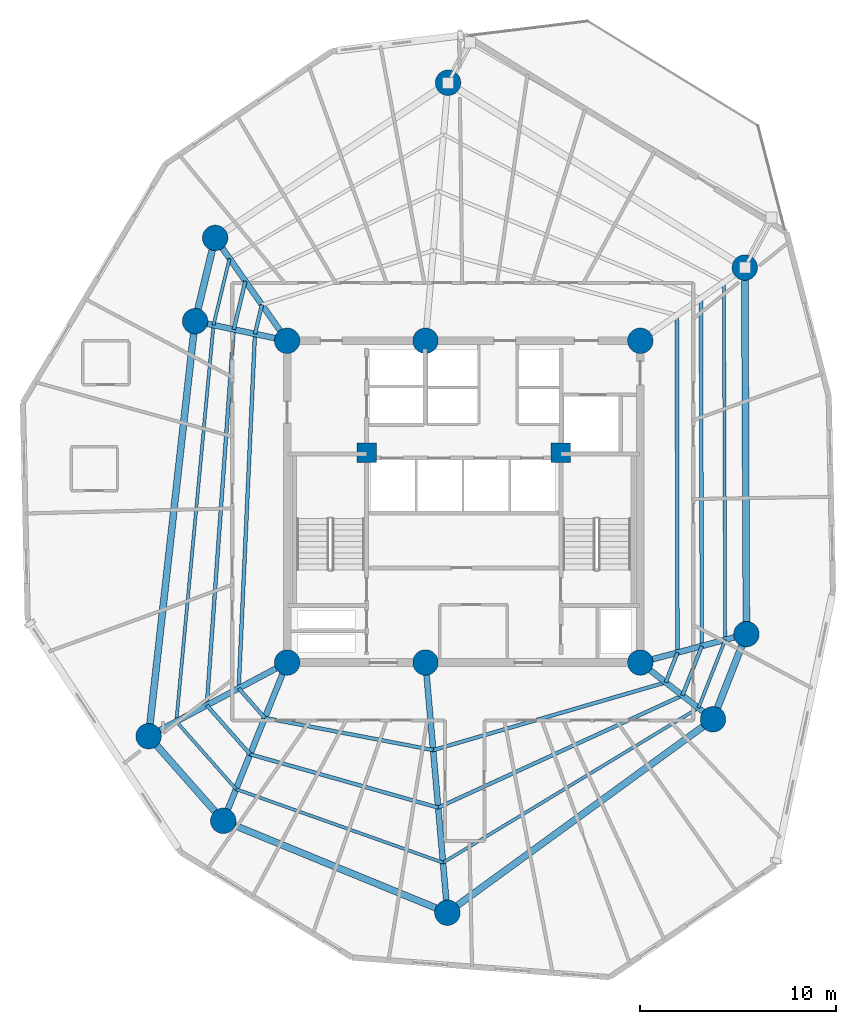
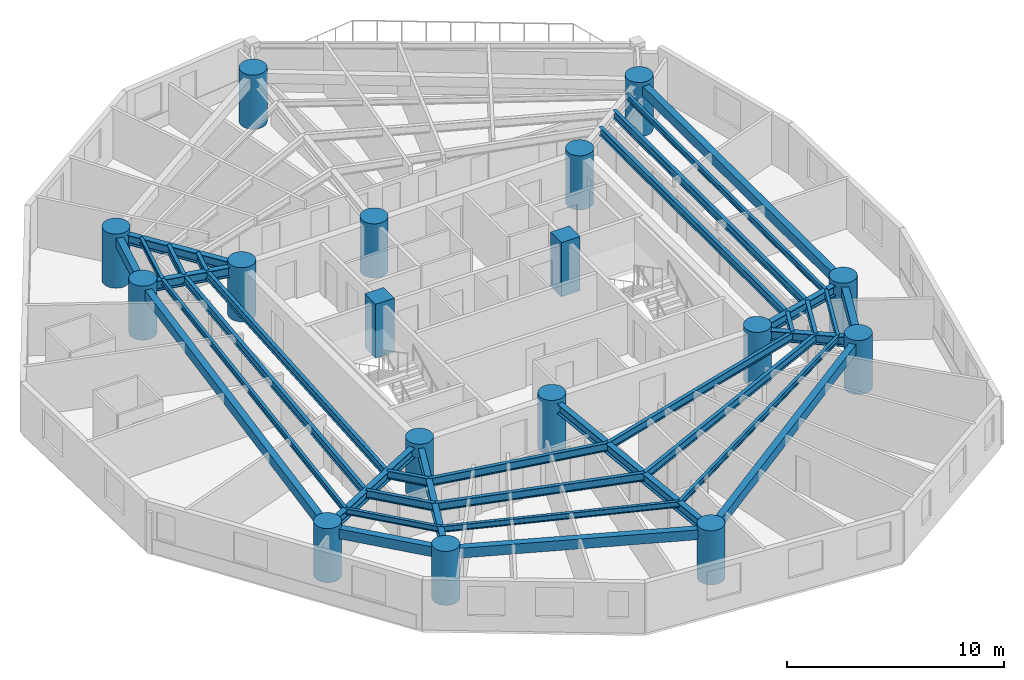
# One storey, part 1 of 9: 35 beams, 17 columns.
"""IFC4 building model written with IfcOpenShell, lengths in metres."""

from ifc_helpers import new_model, si_unit, direction, frame, origin, origin_with_axes, origin_2d, place, context, subcontext, project, spatial, rectangle, circle, i_section, extrude, source, transform, mapped, material, material_profile, profile_set, type_object, element, save


model = new_model("IFC4")

# Units and contexts
model_context = context("Model", 3, precision=1e-05, world=origin(), true_north=direction((0.0, 1.0)))
body_context = subcontext(model_context, "Body", "Model", "MODEL_VIEW")
ifc_project = project(units=[si_unit("LENGTHUNIT", "METRE"), si_unit("AREAUNIT", "SQUARE_METRE"), si_unit("VOLUMEUNIT", "CUBIC_METRE"), si_unit("PLANEANGLEUNIT", "RADIAN"), si_unit("MASSUNIT", "GRAM", prefix="KILO")], contexts=[model_context])

# Site, building, storey
site_placement = place(None, origin())
site = spatial("IfcSite", under=ifc_project, at=site_placement, CompositionType="ELEMENT")
building_placement = place(site_placement, origin())
building = spatial("IfcBuilding", under=site, at=building_placement, Name="Karkom Vertical University and Central Library", CompositionType="ELEMENT")
storey_placement = place(building_placement, frame((0.0, 0.0, 190.10009765625)))
storey = spatial("IfcBuildingStorey", under=building, at=storey_placement, Name="L55", CompositionType="ELEMENT", Elevation=190.10009765625)

# Columns
ifc_material_1 = material(Name="Concrete C50/60", Category="concrete")
ifc_material_profile_1 = material_profile(ifc_material_1, circle(Radius=0.64990234375, at=origin_2d()), Name="CFT-D1300")
ifc_profile_set_1 = profile_set([ifc_material_profile_1], Name="Concrete C50/60")
column_type_1 = type_object("IfcColumnType", Name="STR-COL-C-SC4", PredefinedType="COLUMN", material=ifc_profile_set_1)
shared_shape_1 = source(origin_with_axes(), body_context, "Body", "SweptSolid", [
    extrude(circle(Radius=0.64990234375, at=origin_2d()), origin(), (0.0, 0.0, 1.0), 3.0498046875),
])
for number, where, z_axis, x_axis, name in (
    (1, (19.5, 18.300048828125, 0.0), (0.0, 0.0, 1.0), (1.0, 0.0, 0.0), "Level 55 Spine Mega-Column SC-1"),
    (2, (26.550048828125, 18.300048828125, 0.0), (0.0, 0.0, 1.0), (1.0, 0.0, 0.0), "Level 55 Spine Mega-Column SC-2"),
    (3, (37.5, 18.300048828125, 0.0), (0.0, 0.0, 1.0), (1.0, 0.0, 0.0), "Level 55 Spine Mega-Column SC-3"),
    (4, (19.5, 34.699951171875, 0.0), (0.0, 0.0, 1.0), (1.0, 0.0, 0.0), "Level 55 Spine Mega-Column SC-4"),
    (5, (26.550048828125, 34.699951171875, 0.0), (0.0, 0.0, 1.0), (1.0, 0.0, 0.0), "Level 55 Spine Mega-Column SC-5"),
    (6, (37.5, 34.699951171875, 0.0), (0.0, 0.0, 1.0), (1.0, 0.0, 0.0), "Level 55 Spine Mega-Column SC-6"),
    (7, (42.908935546875, 19.7490234375, 0.0), (0.0, 0.0, 1.0), (1.0, 0.0, 0.0), "Level 55 Perimeter Mega-Column Z3-PC1"),
    (8, (42.823974609375, 38.427978515625, 0.0), (0.0, 0.0, 1.0), (1.0, 0.0, 0.0), "Level 55 Perimeter Mega-Column Z3-PC2"),
    (9, (27.699951171875, 47.85009765625, 0.0), (0.0, 0.0, 1.0), (1.0, 0.0, 0.0), "Level 55 Perimeter Mega-Column Z3-PC3"),
    (10, (15.8291015625, 39.943115234375, 0.0), (0.0, 0.0, 1.0), (1.0, 0.0, 0.0), "Level 55 Perimeter Mega-Column Z3-PC4"),
    (11, (14.804931640625, 35.697998046875, 0.0), (0.0, 0.0, 1.0), (1.0, 0.0, 0.0), "Level 55 Perimeter Mega-Column Z3-PC5"),
    (12, (12.43603515625, 14.5439453125, 0.0), (0.0, 0.0, 1.0), (1.0, 0.0, 0.0), "Level 55 Perimeter Mega-Column Z3-PC6"),
    (13, (16.240966796875, 10.23388671875, 0.0), (0.0, 0.0, 1.0), (1.0, 0.0, 0.0), "Level 55 Perimeter Mega-Column Z3-PC7"),
    (14, (27.666015625, 5.549072265625, 0.0), (0.0, 0.0, 1.0), (1.0, 0.0, 0.0), "Level 55 Perimeter Mega-Column Z3-PC8"),
    (15, (41.2041015625, 15.406005859375, 0.0), (0.0, 0.0, 1.0), (1.0, 0.0, 0.0), "Level 55 Perimeter Mega-Column Z3-PC9"),
):
    element("IfcColumn", number, at=place(storey_placement, frame(where, z_axis=z_axis, x_axis=x_axis)), inside=storey, type_object=column_type_1, Name=name, PredefinedType="COLUMN", context=body_context, shape_type="MappedRepresentation", body=[
        mapped(shared_shape_1, transform((0.0, 0.0, 0.0), scale=1.0)),
    ])
ifc_material_profile_2 = material_profile(ifc_material_1, rectangle(XDim=1.0, YDim=1.0, at=origin_2d()), Name="RC-1000x1000")
ifc_profile_set_2 = profile_set([ifc_material_profile_2], Name="Concrete C50/60")
column_type_2 = type_object("IfcColumnType", Name="STR-COL-C-CC2", PredefinedType="COLUMN", material=ifc_profile_set_2)
shared_shape_2 = source(origin_with_axes(), body_context, "Body", "SweptSolid", [
    extrude(rectangle(XDim=1.0, YDim=1.0, at=origin_2d()), origin(), (0.0, 0.0, 1.0), 3.0498046875),
])
for number, where, z_axis, x_axis, name in (
    (16, (23.550048828125, 29.0, 0.0), (0.0, 0.0, 1.0), (1.0, 0.0, 0.0), "Level 55 Core Node Column CC-1"),
    (17, (33.449951171875, 29.0, 0.0), (0.0, 0.0, 1.0), (1.0, 0.0, 0.0), "Level 55 Core Node Column CC-2"),
):
    element("IfcColumn", number, at=place(storey_placement, frame(where, z_axis=z_axis, x_axis=x_axis)), inside=storey, type_object=column_type_2, Name=name, PredefinedType="COLUMN", context=body_context, shape_type="MappedRepresentation", body=[
        mapped(shared_shape_2, transform((0.0, 0.0, 0.0), scale=1.0)),
    ])

# Beams
ifc_material_2 = material(Name="Precast concrete C45/55", Category="concrete")
ifc_material_profile_3 = material_profile(ifc_material_2, rectangle(XDim=0.35009765625, YDim=0.550048828125, at=origin_2d()), Name="SPB-350x550")
ifc_profile_set_3 = profile_set([ifc_material_profile_3], Name="Precast concrete C45/55")
beam_type_1 = type_object("IfcBeamType", Name="STR-BM-SP-2", PredefinedType="SPANDREL", material=ifc_profile_set_3)
shared_shape_3 = source(origin_with_axes(), body_context, "Body", "SweptSolid", [
    extrude(rectangle(XDim=0.35009765625, YDim=0.550048828125, at=origin_2d()), origin(), (0.0, 0.0, 1.0), 18.67919921875),
])
beam_1_placement = place(storey_placement, frame((42.908935546875, 19.7490234375, 2.5498046875), z_axis=(-0.004548437442, 0.999989655805, 0.0), x_axis=(-0.999989655805, -0.004548437442, 0.0)))
element("IfcBeam", 18, at=beam_1_placement, inside=storey, type_object=beam_type_1, Name="Level 55 Perimeter Spandrel Beam 01", PredefinedType="SPANDREL", context=body_context, shape_type="MappedRepresentation", body=[
    mapped(shared_shape_3, transform((0.0, 0.0, 0.0), scale=1.0)),
])
shared_shape_4 = source(origin_with_axes(), body_context, "Body", "SweptSolid", [
    extrude(rectangle(XDim=0.35009765625, YDim=0.550048828125, at=origin_2d()), origin(), (0.0, 0.0, 1.0), 4.366943359375),
])
beam_2_placement = place(storey_placement, frame((15.8291015625, 39.943115234375, 2.5498046875), z_axis=(-0.234529408772, -0.972109024966, 0.0), x_axis=(0.972109024966, -0.234529408772, 0.0)))
element("IfcBeam", 19, at=beam_2_placement, inside=storey, type_object=beam_type_1, Name="Level 55 Perimeter Spandrel Beam 04", PredefinedType="SPANDREL", context=body_context, shape_type="MappedRepresentation", body=[
    mapped(shared_shape_4, transform((0.0, 0.0, 0.0), scale=1.0)),
])
shared_shape_5 = source(origin_with_axes(), body_context, "Body", "SweptSolid", [
    extrude(rectangle(XDim=0.35009765625, YDim=0.550048828125, at=origin_2d()), origin(), (0.0, 0.0, 1.0), 21.286376953125),
])
beam_3_placement = place(storey_placement, frame((14.804931640625, 35.697998046875, 2.5498046875), z_axis=(-0.111287493264, -0.993788254028, 0.0), x_axis=(0.993788254028, -0.111287493264, 0.0)))
element("IfcBeam", 20, at=beam_3_placement, inside=storey, type_object=beam_type_1, Name="Level 55 Perimeter Spandrel Beam 05", PredefinedType="SPANDREL", context=body_context, shape_type="MappedRepresentation", body=[
    mapped(shared_shape_5, transform((0.0, 0.0, 0.0), scale=1.0)),
])
shared_shape_6 = source(origin_with_axes(), body_context, "Body", "SweptSolid", [
    extrude(rectangle(XDim=0.35009765625, YDim=0.550048828125, at=origin_2d()), origin(), (0.0, 0.0, 1.0), 5.749267578125),
])
beam_4_placement = place(storey_placement, frame((12.43603515625, 14.5439453125, 2.5498046875), z_axis=(0.661811219671, -0.74967053398, 0.0), x_axis=(0.74967053398, 0.661811219671, 0.0)))
element("IfcBeam", 21, at=beam_4_placement, inside=storey, type_object=beam_type_1, Name="Level 55 Perimeter Spandrel Beam 06", PredefinedType="SPANDREL", context=body_context, shape_type="MappedRepresentation", body=[
    mapped(shared_shape_6, transform((0.0, 0.0, 0.0), scale=1.0)),
])
shared_shape_7 = source(origin_with_axes(), body_context, "Body", "SweptSolid", [
    extrude(rectangle(XDim=0.35009765625, YDim=0.550048828125, at=origin_2d()), origin(), (0.0, 0.0, 1.0), 12.34814453125),
])
beam_5_placement = place(storey_placement, frame((16.240966796875, 10.23388671875, 2.5498046875), z_axis=(0.925236428984, -0.37939102583, 0.0), x_axis=(0.37939102583, 0.925236428984, 0.0)))
element("IfcBeam", 22, at=beam_5_placement, inside=storey, type_object=beam_type_1, Name="Level 55 Perimeter Spandrel Beam 07", PredefinedType="SPANDREL", context=body_context, shape_type="MappedRepresentation", body=[
    mapped(shared_shape_7, transform((0.0, 0.0, 0.0), scale=1.0)),
])
shared_shape_8 = source(origin_with_axes(), body_context, "Body", "SweptSolid", [
    extrude(rectangle(XDim=0.35009765625, YDim=0.550048828125, at=origin_2d()), origin(), (0.0, 0.0, 1.0), 16.746337890625),
])
beam_6_placement = place(storey_placement, frame((27.666015625, 5.549072265625, 2.5498046875), z_axis=(0.808422013284, 0.588603303115, 0.0), x_axis=(-0.588603303115, 0.808422013284, 0.0)))
element("IfcBeam", 23, at=beam_6_placement, inside=storey, type_object=beam_type_1, Name="Level 55 Perimeter Spandrel Beam 08", PredefinedType="SPANDREL", context=body_context, shape_type="MappedRepresentation", body=[
    mapped(shared_shape_8, transform((0.0, 0.0, 0.0), scale=1.0)),
])
shared_shape_9 = source(origin_with_axes(), body_context, "Body", "SweptSolid", [
    extrude(rectangle(XDim=0.35009765625, YDim=0.550048828125, at=origin_2d()), origin(), (0.0, 0.0, 1.0), 4.66552734375),
])
beam_7_placement = place(storey_placement, frame((41.2041015625, 15.406005859375, 2.5498046875), z_axis=(0.365401419454, 0.930850043058, 0.0), x_axis=(-0.930850043058, 0.365401419454, 0.0)))
element("IfcBeam", 24, at=beam_7_placement, inside=storey, type_object=beam_type_1, Name="Level 55 Perimeter Spandrel Beam 09", PredefinedType="SPANDREL", context=body_context, shape_type="MappedRepresentation", body=[
    mapped(shared_shape_9, transform((0.0, 0.0, 0.0), scale=1.0)),
])
ifc_material_3 = material(Name="Steel S355", Category="steel")
ifc_material_profile_4 = material_profile(ifc_material_3, i_section(OverallWidth=0.18994140625, OverallDepth=0.449951171875, WebThickness=0.009521484375, FlangeThickness=0.0146484375, FilletRadius=0.02099609375, at=origin_2d()), Name="IPE 450")
ifc_profile_set_4 = profile_set([ifc_material_profile_4], Name="Steel S355")
beam_type_2 = type_object("IfcBeamType", Name="STR-BM-SB-IPE450", PredefinedType="BEAM", material=ifc_profile_set_4)
shared_shape_10 = source(origin_with_axes(), body_context, "Body", "SweptSolid", [
    extrude(i_section(OverallWidth=0.18994140625, OverallDepth=0.449951171875, WebThickness=0.009521484375, FlangeThickness=0.0146484375, FilletRadius=0.02099609375, at=origin_2d()), origin(), (0.0, 0.0, 1.0), 17.19775390625),
])
beam_8_placement = place(storey_placement, frame((39.39306640625, 18.80712890625, 2.599853515625), z_axis=(-0.001731918699, 0.999998500228, 0.0), x_axis=(-0.999998500228, -0.001731918699, 0.0)))
element("IfcBeam", 25, at=beam_8_placement, inside=storey, type_object=beam_type_2, Name="Level 55 Secondary Composite Floor Beam 1.01", PredefinedType="BEAM", context=body_context, shape_type="MappedRepresentation", body=[
    mapped(shared_shape_10, transform((0.0, 0.0, 0.0), scale=1.0)),
])
shared_shape_11 = source(origin_with_axes(), body_context, "Body", "SweptSolid", [
    extrude(i_section(OverallWidth=0.18994140625, OverallDepth=0.449951171875, WebThickness=0.009521484375, FlangeThickness=0.0146484375, FilletRadius=0.02099609375, at=origin_2d()), origin(), (0.0, 0.0, 1.0), 1.5283203125),
])
beam_9_placement = place(storey_placement, frame((18.215087890625, 36.534912109375, 2.599853515625), z_axis=(-0.234520804587, -0.972111100757, 0.0), x_axis=(0.972111100757, -0.234520804587, 0.0)))
element("IfcBeam", 26, at=beam_9_placement, inside=storey, type_object=beam_type_2, Name="Level 55 Secondary Composite Floor Beam 1.04", PredefinedType="BEAM", context=body_context, shape_type="MappedRepresentation", body=[
    mapped(shared_shape_11, transform((0.0, 0.0, 0.0), scale=1.0)),
])
shared_shape_12 = source(origin_with_axes(), body_context, "Body", "SweptSolid", [
    extrude(i_section(OverallWidth=0.18994140625, OverallDepth=0.449951171875, WebThickness=0.009521484375, FlangeThickness=0.0146484375, FilletRadius=0.02099609375, at=origin_2d()), origin(), (0.0, 0.0, 1.0), 18.0830078125),
])
beam_10_placement = place(storey_placement, frame((17.856689453125, 35.04931640625, 2.599853515625), z_axis=(-0.04584982532, -0.998948343769, 0.0), x_axis=(0.998948343769, -0.04584982532, 0.0)))
element("IfcBeam", 27, at=beam_10_placement, inside=storey, type_object=beam_type_2, Name="Level 55 Secondary Composite Floor Beam 1.05", PredefinedType="BEAM", context=body_context, shape_type="MappedRepresentation", body=[
    mapped(shared_shape_12, transform((0.0, 0.0, 0.0), scale=1.0)),
])
shared_shape_13 = source(origin_with_axes(), body_context, "Body", "SweptSolid", [
    extrude(i_section(OverallWidth=0.18994140625, OverallDepth=0.449951171875, WebThickness=0.009521484375, FlangeThickness=0.0146484375, FilletRadius=0.02099609375, at=origin_2d()), origin(), (0.0, 0.0, 1.0), 2.01220703125),
])
beam_11_placement = place(storey_placement, frame((17.027587890625, 16.9853515625, 2.599853515625), z_axis=(0.661822246424, -0.749660799387, 0.0), x_axis=(0.749660799387, 0.661822246424, 0.0)))
element("IfcBeam", 28, at=beam_11_placement, inside=storey, type_object=beam_type_2, Name="Level 55 Secondary Composite Floor Beam 1.06", PredefinedType="BEAM", context=body_context, shape_type="MappedRepresentation", body=[
    mapped(shared_shape_13, transform((0.0, 0.0, 0.0), scale=1.0)),
])
shared_shape_14 = source(origin_with_axes(), body_context, "Body", "SweptSolid", [
    extrude(i_section(OverallWidth=0.18994140625, OverallDepth=0.449951171875, WebThickness=0.009521484375, FlangeThickness=0.0146484375, FilletRadius=0.02099609375, at=origin_2d()), origin(), (0.0, 0.0, 1.0), 8.736572265625),
])
beam_12_placement = place(storey_placement, frame((18.359375, 15.476806640625, 2.599853515625), z_axis=(0.982230782932, -0.187677087205, 0.0), x_axis=(0.187677087205, 0.982230782932, 0.0)))
element("IfcBeam", 29, at=beam_12_placement, inside=storey, type_object=beam_type_2, Name="Level 55 Secondary Composite Floor Beam 1.07", PredefinedType="BEAM", context=body_context, shape_type="MappedRepresentation", body=[
    mapped(shared_shape_14, transform((0.0, 0.0, 0.0), scale=1.0)),
])
shared_shape_15 = source(origin_with_axes(), body_context, "Body", "SweptSolid", [
    extrude(i_section(OverallWidth=0.18994140625, OverallDepth=0.449951171875, WebThickness=0.009521484375, FlangeThickness=0.0146484375, FilletRadius=0.02099609375, at=origin_2d()), origin(), (0.0, 0.0, 1.0), 12.347412109375),
])
beam_13_placement = place(storey_placement, frame((26.940673828125, 13.837158203125, 2.599853515625), z_axis=(0.960173212987, 0.279405442077, 0.0), x_axis=(-0.279405442077, 0.960173212987, 0.0)))
element("IfcBeam", 30, at=beam_13_placement, inside=storey, type_object=beam_type_2, Name="Level 55 Secondary Composite Floor Beam 1.08", PredefinedType="BEAM", context=body_context, shape_type="MappedRepresentation", body=[
    mapped(shared_shape_15, transform((0.0, 0.0, 0.0), scale=1.0)),
])
shared_shape_16 = source(origin_with_axes(), body_context, "Body", "SweptSolid", [
    extrude(i_section(OverallWidth=0.18994140625, OverallDepth=0.449951171875, WebThickness=0.009521484375, FlangeThickness=0.0146484375, FilletRadius=0.02099609375, at=origin_2d()), origin(), (0.0, 0.0, 1.0), 1.633056640625),
])
beam_14_placement = place(storey_placement, frame((38.79638671875, 17.287109375, 2.599853515625), z_axis=(0.365402570083, 0.930849591382, 0.0), x_axis=(-0.930849591382, 0.365402570083, 0.0)))
element("IfcBeam", 31, at=beam_14_placement, inside=storey, type_object=beam_type_2, Name="Level 55 Secondary Composite Floor Beam 1.09", PredefinedType="BEAM", context=body_context, shape_type="MappedRepresentation", body=[
    mapped(shared_shape_16, transform((0.0, 0.0, 0.0), scale=1.0)),
])
shared_shape_17 = source(origin_with_axes(), body_context, "Body", "SweptSolid", [
    extrude(i_section(OverallWidth=0.18994140625, OverallDepth=0.449951171875, WebThickness=0.009521484375, FlangeThickness=0.0146484375, FilletRadius=0.02099609375, at=origin_2d()), origin(), (0.0, 0.0, 1.0), 17.721923828125),
])
beam_15_placement = place(storey_placement, frame((40.63720703125, 19.140380859375, 2.599853515625), z_axis=(-0.002782780006, 0.99999612806, 0.0), x_axis=(-0.99999612806, -0.002782780006, 0.0)))
element("IfcBeam", 32, at=beam_15_placement, inside=storey, type_object=beam_type_2, Name="Level 55 Secondary Composite Floor Beam 2.01", PredefinedType="BEAM", context=body_context, shape_type="MappedRepresentation", body=[
    mapped(shared_shape_17, transform((0.0, 0.0, 0.0), scale=1.0)),
])
shared_shape_18 = source(origin_with_axes(), body_context, "Body", "SweptSolid", [
    extrude(i_section(OverallWidth=0.18994140625, OverallDepth=0.449951171875, WebThickness=0.009521484375, FlangeThickness=0.0146484375, FilletRadius=0.02099609375, at=origin_2d()), origin(), (0.0, 0.0, 1.0), 2.53271484375),
])
beam_16_placement = place(storey_placement, frame((17.370849609375, 37.740966796875, 2.599853515625), z_axis=(-0.234521178828, -0.972111010472, 0.0), x_axis=(0.972111010472, -0.234521178828, 0.0)))
element("IfcBeam", 33, at=beam_16_placement, inside=storey, type_object=beam_type_2, Name="Level 55 Secondary Composite Floor Beam 2.04", PredefinedType="BEAM", context=body_context, shape_type="MappedRepresentation", body=[
    mapped(shared_shape_18, transform((0.0, 0.0, 0.0), scale=1.0)),
])
shared_shape_19 = source(origin_with_axes(), body_context, "Body", "SweptSolid", [
    extrude(i_section(OverallWidth=0.18994140625, OverallDepth=0.449951171875, WebThickness=0.009521484375, FlangeThickness=0.0146484375, FilletRadius=0.02099609375, at=origin_2d()), origin(), (0.0, 0.0, 1.0), 19.20654296875),
])
beam_17_placement = place(storey_placement, frame((16.77685546875, 35.27880859375, 2.599853515625), z_axis=(-0.071539731632, -0.997437750839, 0.0), x_axis=(0.997437750839, -0.071539731632, 0.0)))
element("IfcBeam", 34, at=beam_17_placement, inside=storey, type_object=beam_type_2, Name="Level 55 Secondary Composite Floor Beam 2.05", PredefinedType="BEAM", context=body_context, shape_type="MappedRepresentation", body=[
    mapped(shared_shape_19, transform((0.0, 0.0, 0.0), scale=1.0)),
])
shared_shape_20 = source(origin_with_axes(), body_context, "Body", "SweptSolid", [
    extrude(i_section(OverallWidth=0.18994140625, OverallDepth=0.449951171875, WebThickness=0.009521484375, FlangeThickness=0.0146484375, FilletRadius=0.02099609375, at=origin_2d()), origin(), (0.0, 0.0, 1.0), 3.334716796875),
])
beam_18_placement = place(storey_placement, frame((15.40283203125, 16.12158203125, 2.599853515625), z_axis=(0.661815321502, -0.749666912852, 0.0), x_axis=(0.749666912852, 0.661815321502, 0.0)))
element("IfcBeam", 35, at=beam_18_placement, inside=storey, type_object=beam_type_2, Name="Level 55 Secondary Composite Floor Beam 2.06", PredefinedType="BEAM", context=body_context, shape_type="MappedRepresentation", body=[
    mapped(shared_shape_20, transform((0.0, 0.0, 0.0), scale=1.0)),
])
shared_shape_21 = source(origin_with_axes(), body_context, "Body", "SweptSolid", [
    extrude(i_section(OverallWidth=0.18994140625, OverallDepth=0.449951171875, WebThickness=0.009521484375, FlangeThickness=0.0146484375, FilletRadius=0.02099609375, at=origin_2d()), origin(), (0.0, 0.0, 1.0), 9.965087890625),
])
beam_19_placement = place(storey_placement, frame((17.60986328125, 13.62158203125, 2.599853515625), z_axis=(0.962104232935, -0.272681948372, 0.0), x_axis=(0.272681948372, 0.962104232935, 0.0)))
element("IfcBeam", 36, at=beam_19_placement, inside=storey, type_object=beam_type_2, Name="Level 55 Secondary Composite Floor Beam 2.07", PredefinedType="BEAM", context=body_context, shape_type="MappedRepresentation", body=[
    mapped(shared_shape_21, transform((0.0, 0.0, 0.0), scale=1.0)),
])
shared_shape_22 = source(origin_with_axes(), body_context, "Body", "SweptSolid", [
    extrude(i_section(OverallWidth=0.18994140625, OverallDepth=0.449951171875, WebThickness=0.009521484375, FlangeThickness=0.0146484375, FilletRadius=0.02099609375, at=origin_2d()), origin(), (0.0, 0.0, 1.0), 13.700927734375),
])
beam_20_placement = place(storey_placement, frame((27.197265625, 10.904296875, 2.599853515625), z_axis=(0.908771280691, 0.417294571486, 0.0), x_axis=(-0.417294571486, 0.908771280691, 0.0)))
element("IfcBeam", 37, at=beam_20_placement, inside=storey, type_object=beam_type_2, Name="Level 55 Secondary Composite Floor Beam 2.08", PredefinedType="BEAM", context=body_context, shape_type="MappedRepresentation", body=[
    mapped(shared_shape_22, transform((0.0, 0.0, 0.0), scale=1.0)),
])
shared_shape_23 = source(origin_with_axes(), body_context, "Body", "SweptSolid", [
    extrude(i_section(OverallWidth=0.18994140625, OverallDepth=0.449951171875, WebThickness=0.009521484375, FlangeThickness=0.0146484375, FilletRadius=0.02099609375, at=origin_2d()), origin(), (0.0, 0.0, 1.0), 2.7060546875),
])
beam_21_placement = place(storey_placement, frame((39.648193359375, 16.62158203125, 2.599853515625), z_axis=(0.365487674906, 0.930816179217, 0.0), x_axis=(-0.930816179217, 0.365487674906, 0.0)))
element("IfcBeam", 38, at=beam_21_placement, inside=storey, type_object=beam_type_2, Name="Level 55 Secondary Composite Floor Beam 2.09", PredefinedType="BEAM", context=body_context, shape_type="MappedRepresentation", body=[
    mapped(shared_shape_23, transform((0.0, 0.0, 0.0), scale=1.0)),
])
ifc_material_profile_5 = material_profile(ifc_material_3, i_section(OverallWidth=0.159912109375, OverallDepth=0.330078125, WebThickness=0.007568359375, FlangeThickness=0.011474609375, FilletRadius=0.01806640625, at=origin_2d()), Name="IPE 330")
ifc_profile_set_5 = profile_set([ifc_material_profile_5], Name="Steel S355")
beam_type_3 = type_object("IfcBeamType", Name="STR-BM-SB-IPE330", PredefinedType="BEAM", material=ifc_profile_set_5)
shared_shape_24 = source(origin_with_axes(), body_context, "Body", "SweptSolid", [
    extrude(i_section(OverallWidth=0.159912109375, OverallDepth=0.330078125, WebThickness=0.007568359375, FlangeThickness=0.011474609375, FilletRadius=0.01806640625, at=origin_2d()), origin(), (0.0, 0.0, 1.0), 18.223388671875),
])
beam_22_placement = place(storey_placement, frame((41.8271484375, 19.459228515625, 2.659912109375), z_axis=(-0.003724418851, 0.999993064328, 0.0), x_axis=(-0.999993064328, -0.003724418851, 0.0)))
element("IfcBeam", 39, at=beam_22_placement, inside=storey, type_object=beam_type_3, Name="Level 55 Secondary Composite Floor Beam 3.01", PredefinedType="BEAM", context=body_context, shape_type="MappedRepresentation", body=[
    mapped(shared_shape_24, transform((0.0, 0.0, 0.0), scale=1.0)),
])
shared_shape_25 = source(origin_with_axes(), body_context, "Body", "SweptSolid", [
    extrude(i_section(OverallWidth=0.159912109375, OverallDepth=0.330078125, WebThickness=0.007568359375, FlangeThickness=0.011474609375, FilletRadius=0.01806640625, at=origin_2d()), origin(), (0.0, 0.0, 1.0), 3.493408203125),
])
beam_23_placement = place(storey_placement, frame((16.563232421875, 38.894287109375, 2.659912109375), z_axis=(-0.234535781995, -0.972107487351, 0.0), x_axis=(0.972107487351, -0.234535781995, 0.0)))
element("IfcBeam", 40, at=beam_23_placement, inside=storey, type_object=beam_type_3, Name="Level 55 Secondary Composite Floor Beam 3.04", PredefinedType="BEAM", context=body_context, shape_type="MappedRepresentation", body=[
    mapped(shared_shape_25, transform((0.0, 0.0, 0.0), scale=1.0)),
])
shared_shape_26 = source(origin_with_axes(), body_context, "Body", "SweptSolid", [
    extrude(i_section(OverallWidth=0.159912109375, OverallDepth=0.330078125, WebThickness=0.007568359375, FlangeThickness=0.011474609375, FilletRadius=0.01806640625, at=origin_2d()), origin(), (0.0, 0.0, 1.0), 20.291748046875),
])
beam_24_placement = place(storey_placement, frame((15.743896484375, 35.498291015625, 2.659912109375), z_axis=(-0.093388415244, -0.995629752417, 0.0), x_axis=(0.995629752417, -0.093388415244, 0.0)))
element("IfcBeam", 41, at=beam_24_placement, inside=storey, type_object=beam_type_3, Name="Level 55 Secondary Composite Floor Beam 3.05", PredefinedType="BEAM", context=body_context, shape_type="MappedRepresentation", body=[
    mapped(shared_shape_26, transform((0.0, 0.0, 0.0), scale=1.0)),
])
shared_shape_27 = source(origin_with_axes(), body_context, "Body", "SweptSolid", [
    extrude(i_section(OverallWidth=0.159912109375, OverallDepth=0.330078125, WebThickness=0.007568359375, FlangeThickness=0.011474609375, FilletRadius=0.01806640625, at=origin_2d()), origin(), (0.0, 0.0, 1.0), 4.599365234375),
])
beam_25_placement = place(storey_placement, frame((13.848876953125, 15.295166015625, 2.659912109375), z_axis=(0.661816486801, -0.74966588411, 0.0), x_axis=(0.74966588411, 0.661816486801, 0.0)))
element("IfcBeam", 42, at=beam_25_placement, inside=storey, type_object=beam_type_3, Name="Level 55 Secondary Composite Floor Beam 3.06", PredefinedType="BEAM", context=body_context, shape_type="MappedRepresentation", body=[
    mapped(shared_shape_27, transform((0.0, 0.0, 0.0), scale=1.0)),
])
shared_shape_28 = source(origin_with_axes(), body_context, "Body", "SweptSolid", [
    extrude(i_section(OverallWidth=0.159912109375, OverallDepth=0.330078125, WebThickness=0.007568359375, FlangeThickness=0.011474609375, FilletRadius=0.01806640625, at=origin_2d()), origin(), (0.0, 0.0, 1.0), 11.196044921875),
])
beam_26_placement = place(storey_placement, frame((16.892822265625, 11.84716796875, 2.659912109375), z_axis=(0.942301538336, -0.334765307119, 0.0), x_axis=(0.334765307119, 0.942301538336, 0.0)))
element("IfcBeam", 43, at=beam_26_placement, inside=storey, type_object=beam_type_3, Name="Level 55 Secondary Composite Floor Beam 3.07", PredefinedType="BEAM", context=body_context, shape_type="MappedRepresentation", body=[
    mapped(shared_shape_28, transform((0.0, 0.0, 0.0), scale=1.0)),
])
shared_shape_29 = source(origin_with_axes(), body_context, "Body", "SweptSolid", [
    extrude(i_section(OverallWidth=0.159912109375, OverallDepth=0.330078125, WebThickness=0.007568359375, FlangeThickness=0.011474609375, FilletRadius=0.01806640625, at=origin_2d()), origin(), (0.0, 0.0, 1.0), 15.22216796875),
])
beam_27_placement = place(storey_placement, frame((27.44287109375, 8.09912109375, 2.659912109375), z_axis=(0.855352900974, 0.518045765155, 0.0), x_axis=(-0.518045765155, 0.855352900974, 0.0)))
element("IfcBeam", 44, at=beam_27_placement, inside=storey, type_object=beam_type_3, Name="Level 55 Secondary Composite Floor Beam 3.08", PredefinedType="BEAM", context=body_context, shape_type="MappedRepresentation", body=[
    mapped(shared_shape_29, transform((0.0, 0.0, 0.0), scale=1.0)),
])
shared_shape_30 = source(origin_with_axes(), body_context, "Body", "SweptSolid", [
    extrude(i_section(OverallWidth=0.159912109375, OverallDepth=0.330078125, WebThickness=0.007568359375, FlangeThickness=0.011474609375, FilletRadius=0.01806640625, at=origin_2d()), origin(), (0.0, 0.0, 1.0), 3.732421875),
])
beam_28_placement = place(storey_placement, frame((40.463134765625, 15.98486328125, 2.659912109375), z_axis=(0.365439874109, 0.930834946922, 0.0), x_axis=(-0.930834946922, 0.365439874109, 0.0)))
element("IfcBeam", 45, at=beam_28_placement, inside=storey, type_object=beam_type_3, Name="Level 55 Secondary Composite Floor Beam 3.09", PredefinedType="BEAM", context=body_context, shape_type="MappedRepresentation", body=[
    mapped(shared_shape_30, transform((0.0, 0.0, 0.0), scale=1.0)),
])
ifc_material_profile_6 = material_profile(ifc_material_3, i_section(OverallWidth=0.300048828125, OverallDepth=0.550048828125, WebThickness=0.014892578125, FlangeThickness=0.029052734375, FilletRadius=0.027099609375, at=origin_2d()), Name="HE 550 B")
ifc_profile_set_6 = profile_set([ifc_material_profile_6], Name="Steel S355")
beam_type_4 = type_object("IfcBeamType", Name="STR-BM-SB-HE550", PredefinedType="USERDEFINED", material=ifc_profile_set_6)
shared_shape_31 = source(origin_with_axes(), body_context, "Body", "SweptSolid", [
    extrude(i_section(OverallWidth=0.300048828125, OverallDepth=0.550048828125, WebThickness=0.014892578125, FlangeThickness=0.029052734375, FilletRadius=0.027099609375, at=origin_2d()), origin(), (0.0, 0.0, 1.0), 5.599609375),
])
beam_29_placement = place(storey_placement, frame((37.5, 18.300048828125, 2.5498046875), z_axis=(0.965941240814, 0.258761510459, 0.0), x_axis=(-0.258761510459, 0.965941240814, 0.0)))
element("IfcBeam", 46, at=beam_29_placement, inside=storey, type_object=beam_type_4, Name="Level 55 Radial Frame Girder 01", ObjectType="GIRDER", PredefinedType="USERDEFINED", context=body_context, shape_type="MappedRepresentation", body=[
    mapped(shared_shape_31, transform((0.0, 0.0, 0.0), scale=1.0)),
])
shared_shape_32 = source(origin_with_axes(), body_context, "Body", "SweptSolid", [
    extrude(i_section(OverallWidth=0.300048828125, OverallDepth=0.550048828125, WebThickness=0.014892578125, FlangeThickness=0.029052734375, FilletRadius=0.027099609375, at=origin_2d()), origin(), (0.0, 0.0, 1.0), 6.400390625),
])
beam_30_placement = place(storey_placement, frame((19.5, 34.699951171875, 2.5498046875), z_axis=(-0.573534022273, 0.81918174131, 0.0), x_axis=(-0.81918174131, -0.573534022273, 0.0)))
element("IfcBeam", 47, at=beam_30_placement, inside=storey, type_object=beam_type_4, Name="Level 55 Radial Frame Girder 04", ObjectType="GIRDER", PredefinedType="USERDEFINED", context=body_context, shape_type="MappedRepresentation", body=[
    mapped(shared_shape_32, transform((0.0, 0.0, 0.0), scale=1.0)),
])
shared_shape_33 = source(origin_with_axes(), body_context, "Body", "SweptSolid", [
    extrude(i_section(OverallWidth=0.300048828125, OverallDepth=0.550048828125, WebThickness=0.014892578125, FlangeThickness=0.029052734375, FilletRadius=0.027099609375, at=origin_2d()), origin(), (0.0, 0.0, 1.0), 4.800048828125),
])
beam_31_placement = place(storey_placement, frame((19.5, 34.699951171875, 2.5498046875), z_axis=(-0.978144241295, 0.207927495108, 0.0), x_axis=(-0.207927495108, -0.978144241295, 0.0)))
element("IfcBeam", 48, at=beam_31_placement, inside=storey, type_object=beam_type_4, Name="Level 55 Radial Frame Girder 05", ObjectType="GIRDER", PredefinedType="USERDEFINED", context=body_context, shape_type="MappedRepresentation", body=[
    mapped(shared_shape_33, transform((0.0, 0.0, 0.0), scale=1.0)),
])
shared_shape_34 = source(origin_with_axes(), body_context, "Body", "SweptSolid", [
    extrude(i_section(OverallWidth=0.300048828125, OverallDepth=0.550048828125, WebThickness=0.014892578125, FlangeThickness=0.029052734375, FilletRadius=0.027099609375, at=origin_2d()), origin(), (0.0, 0.0, 1.0), 8.00048828125),
])
beam_32_placement = place(storey_placement, frame((19.5, 18.300048828125, 2.5498046875), z_axis=(-0.882941023922, -0.46948391695, 0.0), x_axis=(0.46948391695, -0.882941023922, 0.0)))
element("IfcBeam", 49, at=beam_32_placement, inside=storey, type_object=beam_type_4, Name="Level 55 Radial Frame Girder 06", ObjectType="GIRDER", PredefinedType="USERDEFINED", context=body_context, shape_type="MappedRepresentation", body=[
    mapped(shared_shape_34, transform((0.0, 0.0, 0.0), scale=1.0)),
])
shared_shape_35 = source(origin_with_axes(), body_context, "Body", "SweptSolid", [
    extrude(i_section(OverallWidth=0.300048828125, OverallDepth=0.550048828125, WebThickness=0.014892578125, FlangeThickness=0.029052734375, FilletRadius=0.027099609375, at=origin_2d()), origin(), (0.0, 0.0, 1.0), 8.69970703125),
])
beam_33_placement = place(storey_placement, frame((19.5, 18.300048828125, 2.5498046875), z_axis=(-0.374615701214, -0.927180174725, 0.0), x_axis=(0.927180174725, -0.374615701214, 0.0)))
element("IfcBeam", 50, at=beam_33_placement, inside=storey, type_object=beam_type_4, Name="Level 55 Radial Frame Girder 07", ObjectType="GIRDER", PredefinedType="USERDEFINED", context=body_context, shape_type="MappedRepresentation", body=[
    mapped(shared_shape_35, transform((0.0, 0.0, 0.0), scale=1.0)),
])
shared_shape_36 = source(origin_with_axes(), body_context, "Body", "SweptSolid", [
    extrude(i_section(OverallWidth=0.300048828125, OverallDepth=0.550048828125, WebThickness=0.014892578125, FlangeThickness=0.029052734375, FilletRadius=0.027099609375, at=origin_2d()), origin(), (0.0, 0.0, 1.0), 12.7998046875),
])
beam_34_placement = place(storey_placement, frame((26.550048828125, 18.300048828125, 2.5498046875), z_axis=(0.087186825694, -0.996191978198, 0.0), x_axis=(0.996191978198, 0.087186825694, 0.0)))
element("IfcBeam", 51, at=beam_34_placement, inside=storey, type_object=beam_type_4, Name="Level 55 Radial Frame Girder 08", ObjectType="GIRDER", PredefinedType="USERDEFINED", context=body_context, shape_type="MappedRepresentation", body=[
    mapped(shared_shape_36, transform((0.0, 0.0, 0.0), scale=1.0)),
])
shared_shape_37 = source(origin_with_axes(), body_context, "Body", "SweptSolid", [
    extrude(i_section(OverallWidth=0.300048828125, OverallDepth=0.550048828125, WebThickness=0.014892578125, FlangeThickness=0.029052734375, FilletRadius=0.027099609375, at=origin_2d()), origin(), (0.0, 0.0, 1.0), 4.70068359375),
])
beam_35_placement = place(storey_placement, frame((37.5, 18.300048828125, 2.5498046875), z_axis=(0.788002325582, -0.615672262553, 0.0), x_axis=(0.615672262553, 0.788002325582, 0.0)))
element("IfcBeam", 52, at=beam_35_placement, inside=storey, type_object=beam_type_4, Name="Level 55 Radial Frame Girder 09", ObjectType="GIRDER", PredefinedType="USERDEFINED", context=body_context, shape_type="MappedRepresentation", body=[
    mapped(shared_shape_37, transform((0.0, 0.0, 0.0), scale=1.0)),
])

save(model, "model.ifc")
